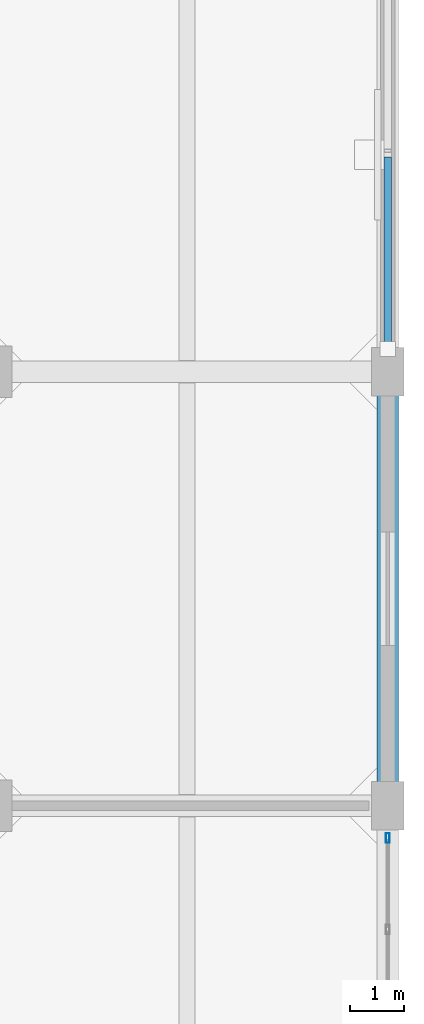
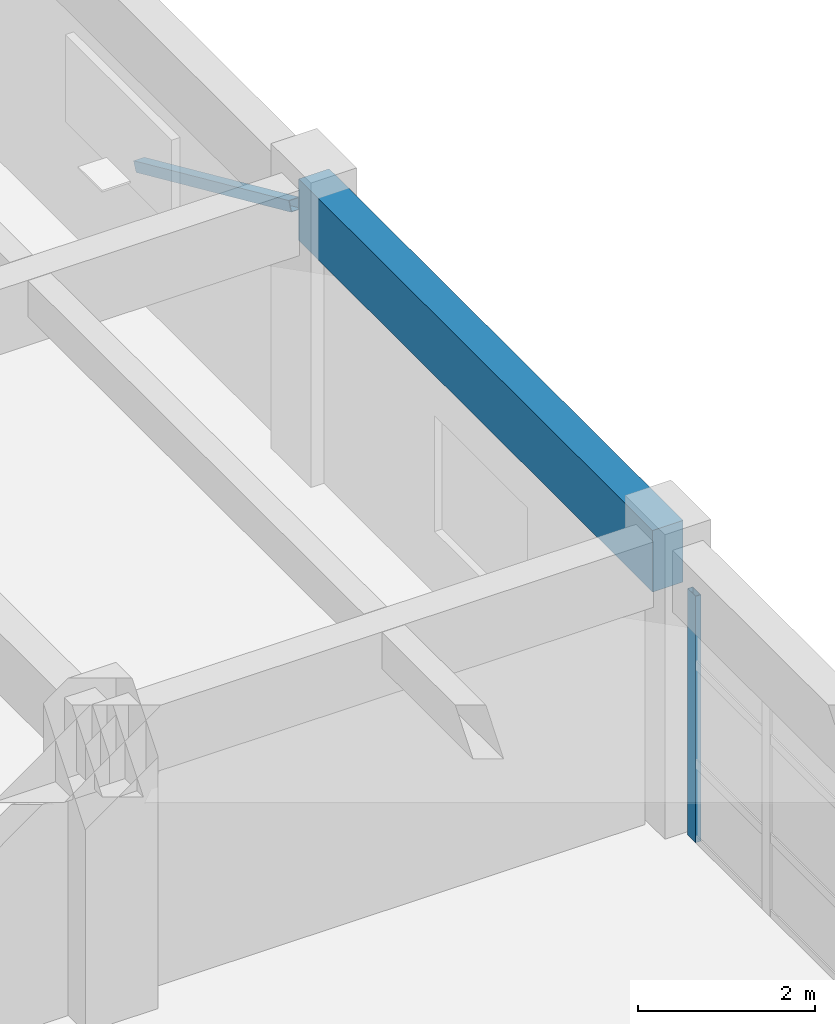
# One storey, part 15 of 35: 2 members, 1 beam, 1 element without a shape of its own.
"""IFC4 building model written with IfcOpenShell, lengths in metres."""

from ifc_helpers import new_model, si_unit, direction, frame, origin, origin_2d, place, context, subcontext, project, spatial, rectangle, hollow_rectangle, extrude, material, layer, layer_set, material_profile, profile_set, type_object, element, aggregate, save


model = new_model("IFC4")

# Units and contexts
model_context = context("Model", 3, precision=1e-05, world=origin(), true_north=direction((0.0, 1.0)))
body_context = subcontext(model_context, "Body", "Model", "MODEL_VIEW")
ifc_project = project(units=[si_unit("LENGTHUNIT", "METRE"), si_unit("AREAUNIT", "SQUARE_METRE"), si_unit("VOLUMEUNIT", "CUBIC_METRE"), si_unit("PLANEANGLEUNIT", "RADIAN"), si_unit("MASSUNIT", "GRAM", prefix="KILO")], contexts=[model_context])

# Site, building, storey
site_placement = place(None, origin())
site = spatial("IfcSite", under=ifc_project, at=site_placement, CompositionType="ELEMENT")
building_placement = place(site_placement, origin())
building = spatial("IfcBuilding", under=site, at=building_placement, Name="Canggui Botanical Conservatory", CompositionType="ELEMENT")
storey_placement = place(building_placement, frame((0.0, 0.0, 15.0)))
storey = spatial("IfcBuildingStorey", under=building, at=storey_placement, Name="L04", CompositionType="ELEMENT", Elevation=15.0)

# Beam
ifc_material_1 = material(Name="Concrete C35", Category="concrete")
ifc_material_profile_1 = material_profile(ifc_material_1, rectangle(XDim=0.39990234375, YDim=0.85009765625, at=origin_2d()), Name="RB 400x850")
ifc_profile_set_1 = profile_set([ifc_material_profile_1], Name="Concrete C35")
beam_type = type_object("IfcBeamType", Name="BM-KL08", PredefinedType="BEAM", material=ifc_profile_set_1)
beam_placement = place(storey_placement, frame((177.39990234375, 34.0, 3.52490234375), z_axis=(0.0, 1.0, 0.0), x_axis=(-1.0, 0.0, 0.0)))
element("IfcBeam", 1, at=beam_placement, inside=storey, type_object=beam_type, Name="Frame Girder L04 X178-2", PredefinedType="BEAM", context=body_context, shape_type="SweptSolid", body=[
    extrude(rectangle(XDim=0.39990234375, YDim=0.85009765625, at=origin_2d()), origin(), (0.0, 0.0, 1.0), 8.0),
])

# Curtain wall, member
ifc_material_2 = material(Name="Thermally Broken Aluminium", Category="aluminium")
ifc_layer = layer(ifc_material_2, 0.179931640625, Name="Thermally Broken Aluminium", Category="aluminium")
ifc_layer_set = layer_set([ifc_layer], Name="Thermally Broken Aluminium")
curtain_wall_type = type_object("IfcCurtainWallType", Name="CW-UNIT-A", PredefinedType="USERDEFINED", material=ifc_layer_set)
curtain_wall_placement = place(storey_placement, origin())
curtain_wall = element("IfcCurtainWall", 2, at=curtain_wall_placement, inside=storey, type_object=curtain_wall_type, Name="Facade Curtain Wall CW-TWR-L04-24", ObjectType="UNITISED CURTAIN WALL", PredefinedType="USERDEFINED")
ifc_material_profile_2 = material_profile(ifc_material_2, hollow_rectangle(XDim=0.070068359375, YDim=0.179931640625, WallThickness=0.00390625, at=origin_2d()), Name="CWM 70x180x4")
ifc_profile_set_2 = profile_set([ifc_material_profile_2], Name="Thermally Broken Aluminium")
member_type_1 = type_object("IfcMemberType", Name="CWM-01", PredefinedType="MULLION", material=ifc_profile_set_2)
member_1_placement = place(storey_placement, frame((177.39990234375, 33.405029296875, 0.0), z_axis=(0.0, 0.0, 1.0), x_axis=(1.0, 0.0, 0.0)))
member_1 = element("IfcMember", 3, at=member_1_placement, type_object=member_type_1, Name="CW-01 mullion 1", PredefinedType="MULLION", context=body_context, shape_type="SweptSolid", body=[
    extrude(hollow_rectangle(XDim=0.070068359375, YDim=0.179931640625, WallThickness=0.00390625, at=origin_2d()), origin(), (0.0, 0.0, 1.0), 3.39990234375),
])
aggregate(curtain_wall, [member_1])

# Member
ifc_material_3 = material(Name="Steel Q355B", Category="steel")
ifc_material_profile_3 = material_profile(ifc_material_3, hollow_rectangle(XDim=0.139892578125, YDim=0.139892578125, WallThickness=0.006103515625, at=origin_2d()), Name="SHS 140x140x6")
ifc_profile_set_3 = profile_set([ifc_material_profile_3], Name="Steel Q355B")
member_type_2 = type_object("IfcMemberType", Name="MEM-ZC05", PredefinedType="BRACE", material=ifc_profile_set_3)
member_2_placement = place(storey_placement, frame((177.39990234375, 45.927001953125, 1.69287109375), z_axis=(0.0, -0.912022453125, 0.410140274778), x_axis=(1.0, 0.0, 0.0)))
element("IfcMember", 4, at=member_2_placement, inside=storey, type_object=member_type_2, Name="Seismic Concentric X-Brace Upper Split Diagonal L04-B2", PredefinedType="BRACE", context=body_context, shape_type="SweptSolid", body=[
    extrude(hollow_rectangle(XDim=0.139892578125, YDim=0.139892578125, WallThickness=0.006103515625, at=origin_2d()), origin(), (0.0, 0.0, 1.0), 3.845458984375),
])

save(model, "model.ifc")
